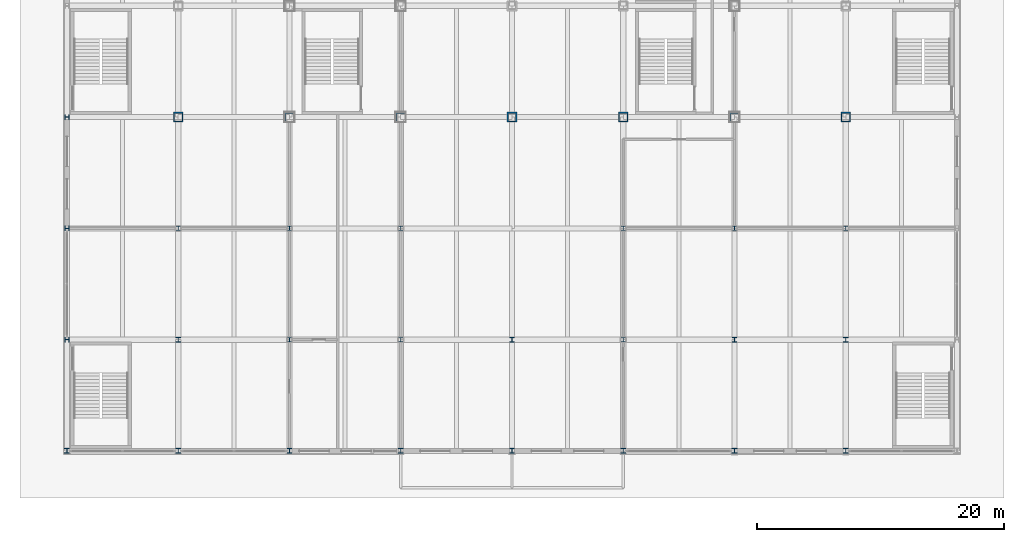
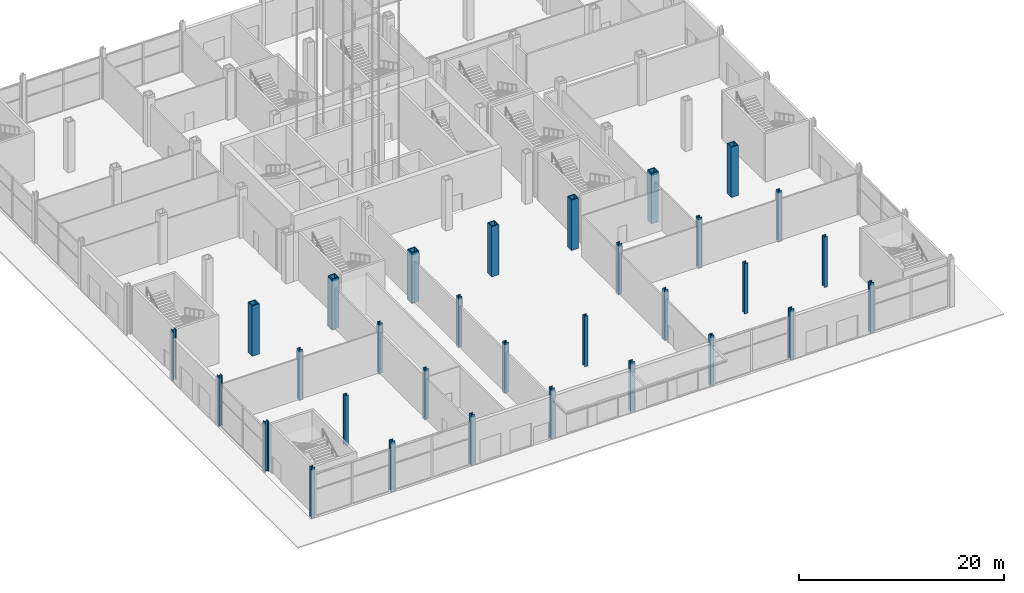
# One storey, part 1 of 34: 31 columns.
"""IFC4 building model written with IfcOpenShell, lengths in metres."""

from ifc_helpers import new_model, si_unit, direction, frame, origin, origin_2d, place, context, subcontext, project, spatial, hollow_rectangle, i_section, extrude, material, material_profile, profile_set, type_object, element, save


model = new_model("IFC4")

# Units and contexts
model_context = context("Model", 3, precision=1e-05, world=origin(), true_north=direction((0.0, 1.0)))
body_context = subcontext(model_context, "Body", "Model", "MODEL_VIEW")
ifc_project = project(units=[si_unit("LENGTHUNIT", "METRE"), si_unit("AREAUNIT", "SQUARE_METRE"), si_unit("VOLUMEUNIT", "CUBIC_METRE"), si_unit("PLANEANGLEUNIT", "RADIAN"), si_unit("MASSUNIT", "GRAM", prefix="KILO")], contexts=[model_context])

# Site, building, storey
site_placement = place(None, origin())
site = spatial("IfcSite", under=ifc_project, at=site_placement, CompositionType="ELEMENT")
building_placement = place(site_placement, origin())
building = spatial("IfcBuilding", under=site, at=building_placement, Name="Loomwork Tower", CompositionType="ELEMENT")
storey_placement = place(building_placement, origin())
storey = spatial("IfcBuildingStorey", under=building, at=storey_placement, Name="L00", CompositionType="ELEMENT", Elevation=0.0)

# Columns
ifc_material_1 = material(Name="Steel ASTM A572 Grade 50 plate", Category="steel")
ifc_material_profile_1 = material_profile(ifc_material_1, hollow_rectangle(XDim=0.800048828125, YDim=0.800048828125, WallThickness=0.10009765625, at=origin_2d()), Name="BOX800x100")
ifc_profile_set_1 = profile_set([ifc_material_profile_1], Name="Steel ASTM A572 Grade 50 plate")
column_type_1 = type_object("IfcColumnType", Name="EXOSKELETON PIER BOX800x100", PredefinedType="COLUMN", material=ifc_profile_set_1)
for number, where, z_axis, x_axis, name in (
    (1, (0.0, 0.0, 0.0), (0.0, 0.0, 1.0), (1.0, 0.0, 0.0), "Exoskeleton Pier D/2 L00"),
    (2, (9.0, 0.0, 0.0), (0.0, 0.0, 1.0), (1.0, 0.0, 0.0), "Exoskeleton Pier D/3 L00"),
    (3, (18.0, 0.0, 0.0), (0.0, 0.0, 1.0), (1.0, 0.0, 0.0), "Exoskeleton Pier D/4 L00"),
    (4, (27.0, 0.0, 0.0), (0.0, 0.0, 1.0), (1.0, 0.0, 0.0), "Exoskeleton Pier D/5 L00"),
    (5, (36.0, 0.0, 0.0), (0.0, 0.0, 1.0), (1.0, 0.0, 0.0), "Exoskeleton Pier D/6 L00"),
    (6, (45.0, 0.0, 0.0), (0.0, 0.0, 1.0), (1.0, 0.0, 0.0), "Exoskeleton Pier D/7 L00"),
    (7, (54.0, 0.0, 0.0), (0.0, 0.0, 1.0), (1.0, 0.0, 0.0), "Exoskeleton Pier D/8 L00"),
):
    element("IfcColumn", number, at=place(storey_placement, frame(where, z_axis=z_axis, x_axis=x_axis)), inside=storey, type_object=column_type_1, Name=name, PredefinedType="COLUMN", context=body_context, shape_type="SweptSolid", body=[
        extrude(hollow_rectangle(XDim=0.800048828125, YDim=0.800048828125, WallThickness=0.10009765625, at=origin_2d()), origin(), (0.0, 0.0, 1.0), 6.0),
    ])
ifc_material_2 = material(Name="Steel ASTM A992", Category="steel")
ifc_material_profile_2 = material_profile(ifc_material_2, i_section(OverallWidth=0.4013671875, OverallDepth=0.398681640625, WebThickness=0.02490234375, FlangeThickness=0.03955078125, at=origin_2d()), Name="W14x211")
ifc_profile_set_2 = profile_set([ifc_material_profile_2], Name="Steel ASTM A992")
column_type_2 = type_object("IfcColumnType", Name="PODIUM COLUMN W14x211", PredefinedType="COLUMN", material=ifc_profile_set_2)
for number, where, z_axis, x_axis, name in (
    (8, (-9.0, -27.0, 0.0), (0.0, 0.0, 1.0), (1.0, 0.0, 0.0), "Podium Column A/1 L00"),
    (9, (-9.0, -18.0, 0.0), (0.0, 0.0, 1.0), (0.0, 1.0, 0.0), "Podium Column B/1 L00"),
    (10, (-9.0, -9.0, 0.0), (0.0, 0.0, 1.0), (0.0, 1.0, 0.0), "Podium Column C/1 L00"),
    (11, (-9.0, 0.0, 0.0), (0.0, 0.0, 1.0), (0.0, 1.0, 0.0), "Podium Column D/1 L00"),
    (12, (0.0, -27.0, 0.0), (0.0, 0.0, 1.0), (1.0, 0.0, 0.0), "Podium Column A/2 L00"),
    (13, (0.0, -18.0, 0.0), (0.0, 0.0, 1.0), (1.0, 0.0, 0.0), "Podium Column B/2 L00"),
    (14, (0.0, -9.0, 0.0), (0.0, 0.0, 1.0), (1.0, 0.0, 0.0), "Podium Column C/2 L00"),
    (15, (9.0, -27.0, 0.0), (0.0, 0.0, 1.0), (1.0, 0.0, 0.0), "Podium Column A/3 L00"),
    (16, (9.0, -18.0, 0.0), (0.0, 0.0, 1.0), (1.0, 0.0, 0.0), "Podium Column B/3 L00"),
    (17, (9.0, -9.0, 0.0), (0.0, 0.0, 1.0), (1.0, 0.0, 0.0), "Podium Column C/3 L00"),
    (18, (18.0, -27.0, 0.0), (0.0, 0.0, 1.0), (1.0, 0.0, 0.0), "Podium Column A/4 L00"),
    (19, (18.0, -18.0, 0.0), (0.0, 0.0, 1.0), (1.0, 0.0, 0.0), "Podium Column B/4 L00"),
    (20, (18.0, -9.0, 0.0), (0.0, 0.0, 1.0), (1.0, 0.0, 0.0), "Podium Column C/4 L00"),
    (21, (27.0, -27.0, 0.0), (0.0, 0.0, 1.0), (1.0, 0.0, 0.0), "Podium Column A/5 L00"),
    (22, (27.0, -18.0, 0.0), (0.0, 0.0, 1.0), (1.0, 0.0, 0.0), "Podium Column B/5 L00"),
    (23, (36.0, -27.0, 0.0), (0.0, 0.0, 1.0), (1.0, 0.0, 0.0), "Podium Column A/6 L00"),
    (24, (36.0, -18.0, 0.0), (0.0, 0.0, 1.0), (1.0, 0.0, 0.0), "Podium Column B/6 L00"),
    (25, (36.0, -9.0, 0.0), (0.0, 0.0, 1.0), (1.0, 0.0, 0.0), "Podium Column C/6 L00"),
    (26, (45.0, -18.0, 0.0), (0.0, 0.0, 1.0), (1.0, 0.0, 0.0), "Podium Column B/7 L00"),
    (27, (45.0, -9.0, 0.0), (0.0, 0.0, 1.0), (1.0, 0.0, 0.0), "Podium Column C/7 L00"),
    (28, (54.0, -18.0, 0.0), (0.0, 0.0, 1.0), (1.0, 0.0, 0.0), "Podium Column B/8 L00"),
    (29, (54.0, -9.0, 0.0), (0.0, 0.0, 1.0), (1.0, 0.0, 0.0), "Podium Column C/8 L00"),
):
    element("IfcColumn", number, at=place(storey_placement, frame(where, z_axis=z_axis, x_axis=x_axis)), inside=storey, type_object=column_type_2, Name=name, PredefinedType="COLUMN", context=body_context, shape_type="SweptSolid", body=[
        extrude(i_section(OverallWidth=0.4013671875, OverallDepth=0.398681640625, WebThickness=0.02490234375, FlangeThickness=0.03955078125, at=origin_2d()), origin(), (0.0, 0.0, 1.0), 6.0),
    ])
ifc_material_3 = material(Name="Steel ASTM A992", Category="steel")
ifc_material_profile_3 = material_profile(ifc_material_3, i_section(OverallWidth=0.408935546875, OverallDepth=0.424072265625, WebThickness=0.03271484375, FlangeThickness=0.052490234375, at=origin_2d()), Name="W14x283")
ifc_profile_set_3 = profile_set([ifc_material_profile_3], Name="Steel ASTM A992")
column_type_3 = type_object("IfcColumnType", Name="PODIUM COLUMN W14x283", PredefinedType="COLUMN", material=ifc_profile_set_3)
for number, where, z_axis, x_axis, name in (
    (30, (45.0, -27.0, 0.0), (0.0, 0.0, 1.0), (1.0, 0.0, 0.0), "Podium Column A/7 L00"),
    (31, (54.0, -27.0, 0.0), (0.0, 0.0, 1.0), (1.0, 0.0, 0.0), "Podium Column A/8 L00"),
):
    element("IfcColumn", number, at=place(storey_placement, frame(where, z_axis=z_axis, x_axis=x_axis)), inside=storey, type_object=column_type_3, Name=name, PredefinedType="COLUMN", context=body_context, shape_type="SweptSolid", body=[
        extrude(i_section(OverallWidth=0.408935546875, OverallDepth=0.424072265625, WebThickness=0.03271484375, FlangeThickness=0.052490234375, at=origin_2d()), origin(), (0.0, 0.0, 1.0), 6.0),
    ])

save(model, "model.ifc")
